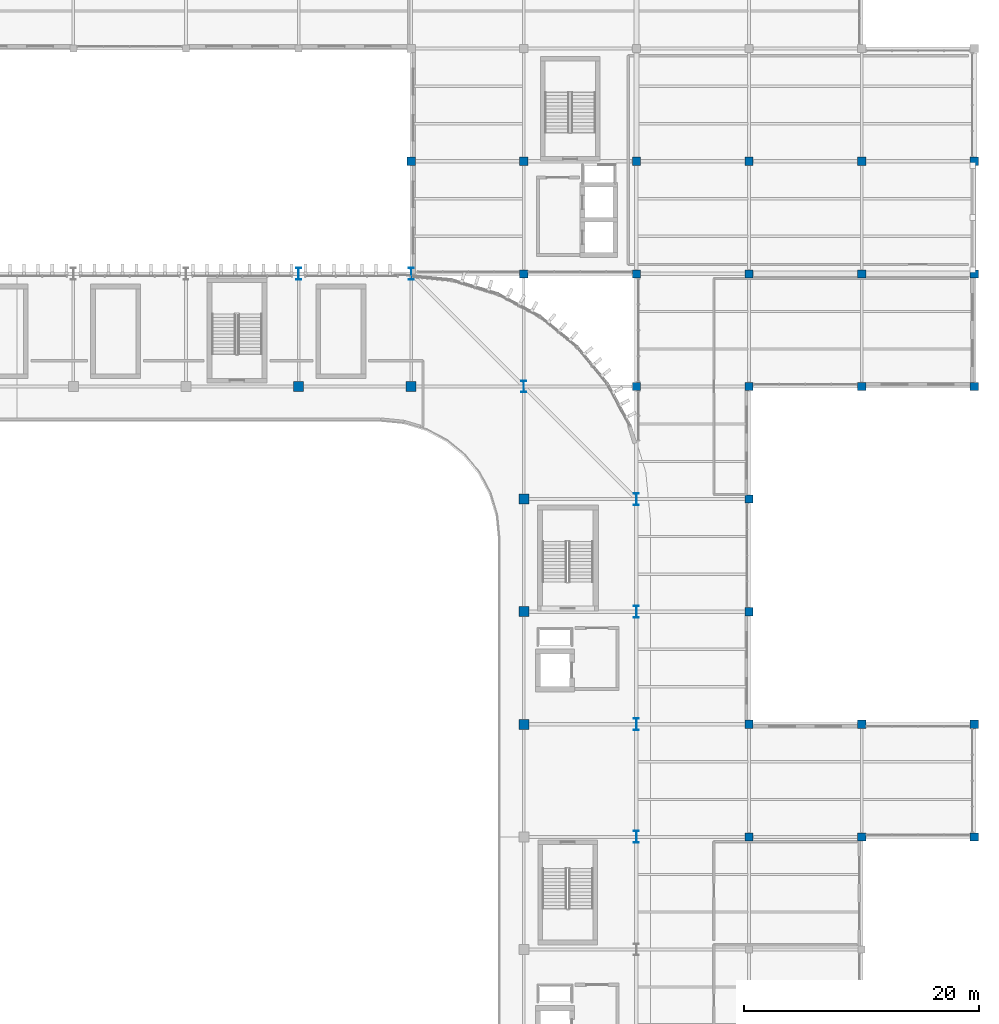
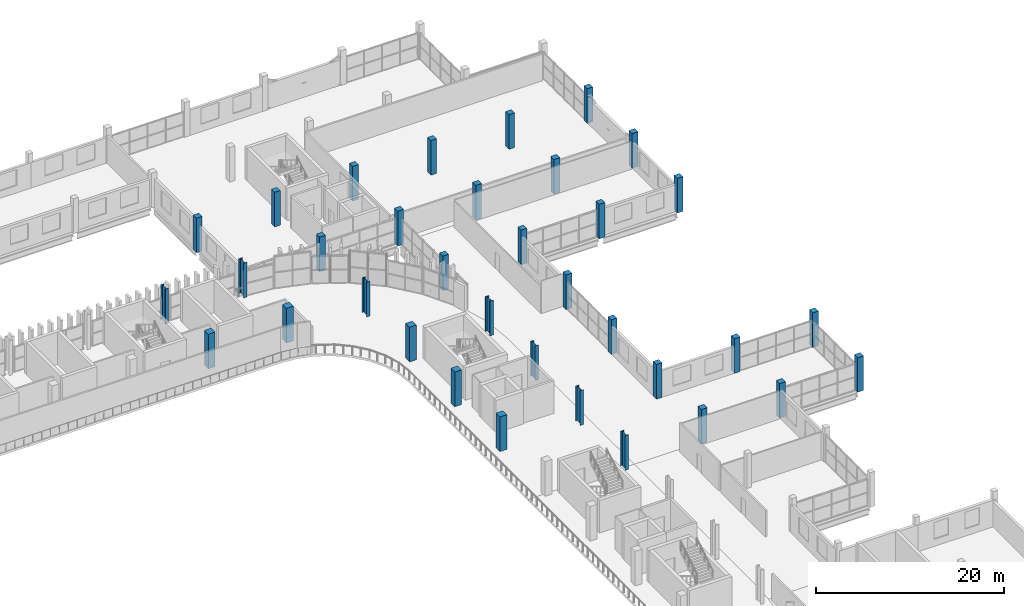
# One storey, part 4 of 92: 35 columns.
"""IFC4 building model written with IfcOpenShell, lengths in metres."""

from ifc_helpers import new_model, si_unit, direction, frame, origin, origin_2d, place, context, subcontext, project, spatial, rectangle, i_section, extrude, material, material_profile, profile_set, type_object, element, save


model = new_model("IFC4")

# Units and contexts
model_context = context("Model", 3, precision=1e-05, world=origin(), true_north=direction((0.0, 1.0)))
body_context = subcontext(model_context, "Body", "Model", "MODEL_VIEW")
ifc_project = project(units=[si_unit("LENGTHUNIT", "METRE"), si_unit("AREAUNIT", "SQUARE_METRE"), si_unit("VOLUMEUNIT", "CUBIC_METRE"), si_unit("PLANEANGLEUNIT", "RADIAN"), si_unit("MASSUNIT", "GRAM", prefix="KILO")], contexts=[model_context])

# Site, building, storey
site_placement = place(None, origin())
site = spatial("IfcSite", under=ifc_project, at=site_placement, CompositionType="ELEMENT")
building_placement = place(site_placement, origin())
building = spatial("IfcBuilding", under=site, at=building_placement, Name="Caelomonte Colonnade Arena", CompositionType="ELEMENT")
storey_placement = place(building_placement, frame((0.0, 0.0, 9.60009765625)))
storey = spatial("IfcBuildingStorey", under=building, at=storey_placement, Name="L02", CompositionType="ELEMENT", Elevation=9.60009765625)

# Columns
ifc_material_1 = material(Name="Concrete C40/50", Category="concrete")
ifc_material_profile_1 = material_profile(ifc_material_1, rectangle(XDim=0.699951171875, YDim=0.699951171875, at=origin_2d()), Name="RC700X700")
ifc_profile_set_1 = profile_set([ifc_material_profile_1], Name="Concrete C40/50")
column_type_1 = type_object("IfcColumnType", Name="STR-COL-RC07", PredefinedType="COLUMN", material=ifc_profile_set_1)
for number, where, z_axis, x_axis, name in (
    (1, (144.0, 124.800048828125, 0.0), (0.0, 0.0, 1.0), (1.0, 0.0, 0.0), "L02 column (144.0, 124.8)"),
    (2, (153.60009765625, 115.199951171875, 0.0), (0.0, 0.0, 1.0), (1.0, 0.0, 0.0), "L02 column (153.6, 115.2)"),
    (3, (153.60009765625, 124.800048828125, 0.0), (0.0, 0.0, 1.0), (1.0, 0.0, 0.0), "L02 column (153.6, 124.8)"),
    (4, (163.199951171875, 105.60009765625, 0.0), (0.0, 0.0, 1.0), (1.0, 0.0, 0.0), "L02 column (163.2, 105.6)"),
    (5, (163.199951171875, 115.199951171875, 0.0), (0.0, 0.0, 1.0), (1.0, 0.0, 0.0), "L02 column (163.2, 115.2)"),
    (6, (163.199951171875, 124.800048828125, 0.0), (0.0, 0.0, 1.0), (1.0, 0.0, 0.0), "L02 column (163.2, 124.8)"),
    (7, (172.800048828125, 67.199951171875, 0.0), (0.0, 0.0, 1.0), (1.0, 0.0, 0.0), "L02 column (172.8, 67.2)"),
    (8, (172.800048828125, 76.800048828125, 0.0), (0.0, 0.0, 1.0), (1.0, 0.0, 0.0), "L02 column (172.8, 76.8)"),
    (9, (172.800048828125, 86.39990234375, 0.0), (0.0, 0.0, 1.0), (1.0, 0.0, 0.0), "L02 column (172.8, 86.4)"),
    (10, (172.800048828125, 96.0, 0.0), (0.0, 0.0, 1.0), (1.0, 0.0, 0.0), "L02 column (172.8, 96.0)"),
    (11, (172.800048828125, 105.60009765625, 0.0), (0.0, 0.0, 1.0), (1.0, 0.0, 0.0), "L02 column (172.8, 105.6)"),
    (12, (172.800048828125, 115.199951171875, 0.0), (0.0, 0.0, 1.0), (1.0, 0.0, 0.0), "L02 column (172.8, 115.2)"),
    (13, (172.800048828125, 124.800048828125, 0.0), (0.0, 0.0, 1.0), (1.0, 0.0, 0.0), "L02 column (172.8, 124.8)"),
    (14, (182.39990234375, 67.199951171875, 0.0), (0.0, 0.0, 1.0), (1.0, 0.0, 0.0), "L02 column (182.4, 67.2)"),
    (15, (182.39990234375, 76.800048828125, 0.0), (0.0, 0.0, 1.0), (1.0, 0.0, 0.0), "L02 column (182.4, 76.8)"),
    (16, (182.39990234375, 105.60009765625, 0.0), (0.0, 0.0, 1.0), (1.0, 0.0, 0.0), "L02 column (182.4, 105.6)"),
    (17, (182.39990234375, 115.199951171875, 0.0), (0.0, 0.0, 1.0), (1.0, 0.0, 0.0), "L02 column (182.4, 115.2)"),
    (18, (182.39990234375, 124.800048828125, 0.0), (0.0, 0.0, 1.0), (1.0, 0.0, 0.0), "L02 column (182.4, 124.8)"),
    (19, (192.0, 67.199951171875, 0.0), (0.0, 0.0, 1.0), (1.0, 0.0, 0.0), "L02 column (192.0, 67.2)"),
    (20, (192.0, 76.800048828125, 0.0), (0.0, 0.0, 1.0), (1.0, 0.0, 0.0), "L02 column (192.0, 76.8)"),
    (21, (192.0, 105.60009765625, 0.0), (0.0, 0.0, 1.0), (1.0, 0.0, 0.0), "L02 column (192.0, 105.6)"),
    (22, (192.0, 115.199951171875, 0.0), (0.0, 0.0, 1.0), (1.0, 0.0, 0.0), "L02 column (192.0, 115.2)"),
    (23, (192.0, 124.800048828125, 0.0), (0.0, 0.0, 1.0), (1.0, 0.0, 0.0), "L02 column (192.0, 124.8)"),
):
    element("IfcColumn", number, at=place(storey_placement, frame(where, z_axis=z_axis, x_axis=x_axis)), inside=storey, type_object=column_type_1, Name=name, PredefinedType="COLUMN", context=body_context, shape_type="SweptSolid", body=[
        extrude(rectangle(XDim=0.699951171875, YDim=0.699951171875, at=origin_2d()), origin(), (0.0, 0.0, 1.0), 4.5),
    ])
ifc_material_2 = material(Name="Concrete C50/60", Category="concrete")
ifc_material_profile_2 = material_profile(ifc_material_2, rectangle(XDim=0.85009765625, YDim=0.85009765625, at=origin_2d()), Name="RC850X850")
ifc_profile_set_2 = profile_set([ifc_material_profile_2], Name="Concrete C50/60")
column_type_2 = type_object("IfcColumnType", Name="STR-COL-RC85", PredefinedType="COLUMN", material=ifc_profile_set_2)
for number, where, z_axis, x_axis, name in (
    (24, (134.39990234375, 105.60009765625, 0.0), (0.0, 0.0, 1.0), (1.0, 0.0, 0.0), "L02 column (134.4, 105.6)"),
    (25, (144.0, 105.60009765625, 0.0), (0.0, 0.0, 1.0), (1.0, 0.0, 0.0), "L02 column (144.0, 105.6)"),
    (26, (153.60009765625, 76.800048828125, 0.0), (0.0, 0.0, 1.0), (1.0, 0.0, 0.0), "L02 column (153.6, 76.8)"),
    (27, (153.60009765625, 86.39990234375, 0.0), (0.0, 0.0, 1.0), (1.0, 0.0, 0.0), "L02 column (153.6, 86.4)"),
    (28, (153.60009765625, 96.0, 0.0), (0.0, 0.0, 1.0), (1.0, 0.0, 0.0), "L02 column (153.6, 96.0)"),
):
    element("IfcColumn", number, at=place(storey_placement, frame(where, z_axis=z_axis, x_axis=x_axis)), inside=storey, type_object=column_type_2, Name=name, PredefinedType="COLUMN", context=body_context, shape_type="SweptSolid", body=[
        extrude(rectangle(XDim=0.85009765625, YDim=0.85009765625, at=origin_2d()), origin(), (0.0, 0.0, 1.0), 4.5),
    ])
ifc_material_3 = material(Name="Wide-flange steel ASTM A992 Grade 50", Category="steel")
ifc_material_profile_3 = material_profile(ifc_material_3, i_section(OverallWidth=0.419189453125, OverallDepth=1.010986328125, WebThickness=0.023681640625, FlangeThickness=0.0419921875, FilletRadius=0.030517578125, at=origin_2d()), Name="W40X297")
ifc_profile_set_3 = profile_set([ifc_material_profile_3], Name="Wide-flange steel ASTM A992 Grade 50")
column_type_3 = type_object("IfcColumnType", Name="STR-COL-W40B", PredefinedType="COLUMN", material=ifc_profile_set_3)
for number, where, z_axis, x_axis, name in (
    (29, (134.39990234375, 115.199951171875, 0.0), (0.0, 0.0, 1.0), (1.0, 0.0, 0.0), "L02 column (134.4, 115.2)"),
    (30, (144.0, 115.199951171875, 0.0), (0.0, 0.0, 1.0), (1.0, 0.0, 0.0), "L02 column (144.0, 115.2)"),
    (31, (153.60009765625, 105.60009765625, 0.0), (0.0, 0.0, 1.0), (1.0, 0.0, 0.0), "L02 column (153.6, 105.6)"),
    (32, (163.199951171875, 67.199951171875, 0.0), (0.0, 0.0, 1.0), (1.0, 0.0, 0.0), "L02 column (163.2, 67.2)"),
    (33, (163.199951171875, 76.800048828125, 0.0), (0.0, 0.0, 1.0), (1.0, 0.0, 0.0), "L02 column (163.2, 76.8)"),
    (34, (163.199951171875, 86.39990234375, 0.0), (0.0, 0.0, 1.0), (1.0, 0.0, 0.0), "L02 column (163.2, 86.4)"),
    (35, (163.199951171875, 96.0, 0.0), (0.0, 0.0, 1.0), (1.0, 0.0, 0.0), "L02 column (163.2, 96.0)"),
):
    element("IfcColumn", number, at=place(storey_placement, frame(where, z_axis=z_axis, x_axis=x_axis)), inside=storey, type_object=column_type_3, Name=name, PredefinedType="COLUMN", context=body_context, shape_type="SweptSolid", body=[
        extrude(i_section(OverallWidth=0.419189453125, OverallDepth=1.010986328125, WebThickness=0.023681640625, FlangeThickness=0.0419921875, FilletRadius=0.030517578125, at=origin_2d()), origin(), (0.0, 0.0, 1.0), 4.5),
    ])

save(model, "model.ifc")
